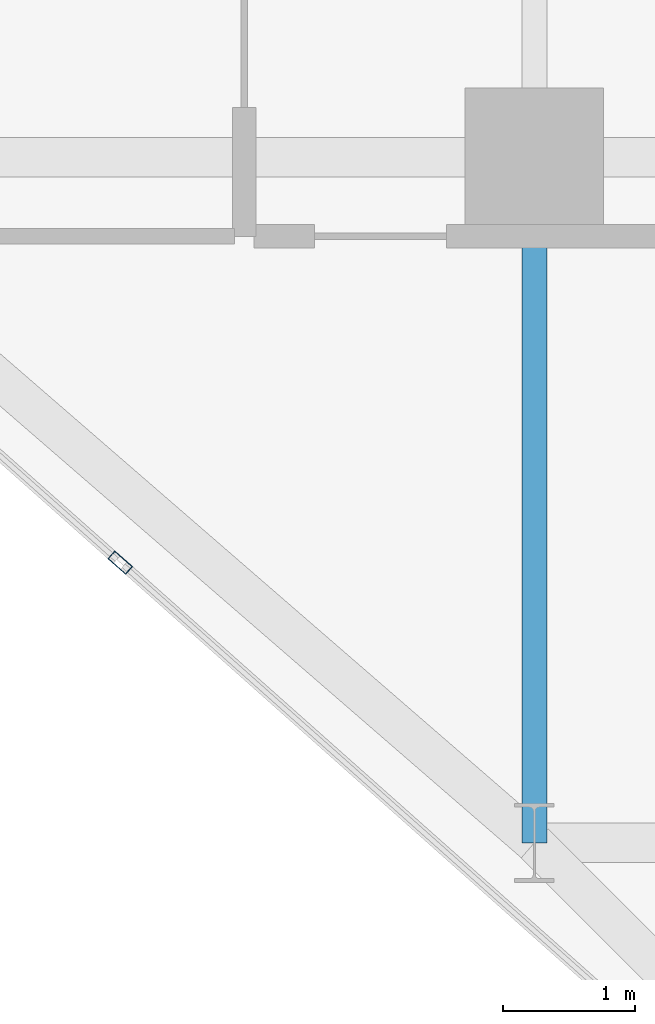
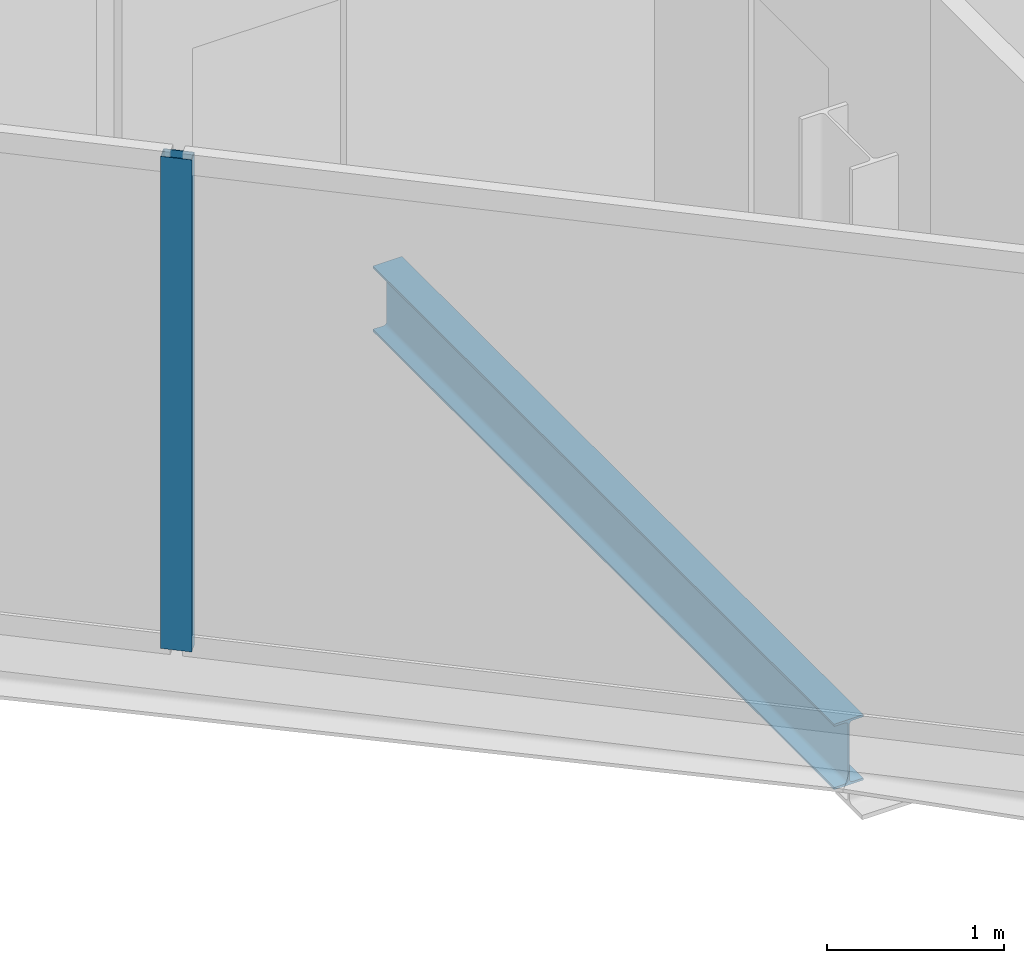
# One storey, part 3 of 29: 1 beam, 1 member, 1 element without a shape of its own.
"""IFC4 building model written with IfcOpenShell, lengths in metres."""

from ifc_helpers import new_model, si_unit, direction, frame, origin, origin_2d, place, context, subcontext, project, spatial, hollow_rectangle, i_section, extrude, material, layer, layer_set, material_profile, profile_set, type_object, element, aggregate, save


model = new_model("IFC4")

# Units and contexts
model_context = context("Model", 3, precision=1e-05, world=origin(), true_north=direction((0.0, 1.0)))
body_context = subcontext(model_context, "Body", "Model", "MODEL_VIEW")
ifc_project = project(units=[si_unit("LENGTHUNIT", "METRE"), si_unit("AREAUNIT", "SQUARE_METRE"), si_unit("VOLUMEUNIT", "CUBIC_METRE"), si_unit("PLANEANGLEUNIT", "RADIAN"), si_unit("MASSUNIT", "GRAM", prefix="KILO")], contexts=[model_context])

# Site, building, storey
site_placement = place(None, origin())
site = spatial("IfcSite", under=ifc_project, at=site_placement, CompositionType="ELEMENT")
building_placement = place(site_placement, origin())
building = spatial("IfcBuilding", under=site, at=building_placement, Name="Keshet Zoharim Tower", CompositionType="ELEMENT")
storey_placement = place(building_placement, frame((0.0, 0.0, 102.0)))
storey = spatial("IfcBuildingStorey", under=building, at=storey_placement, Name="L24", CompositionType="ELEMENT", Elevation=102.0)

# Beam
ifc_material_1 = material(Name="Steel S355", Category="steel")
ifc_material_profile_1 = material_profile(ifc_material_1, i_section(OverallWidth=0.18994140625, OverallDepth=0.449951171875, WebThickness=0.009521484375, FlangeThickness=0.0146484375, FilletRadius=0.02099609375, at=origin_2d()), Name="IPE450")
ifc_profile_set_1 = profile_set([ifc_material_profile_1], Name="Steel S355")
beam_type = type_object("IfcBeamType", Name="BM-PRI-IP450", PredefinedType="BEAM", material=ifc_profile_set_1)
beam_placement = place(storey_placement, frame((15.0, 12.699951171875, -0.5400390625), z_axis=(0.0, 1.0, 0.0), x_axis=(-1.0, 0.0, 0.0)))
element("IfcBeam", 1, at=beam_placement, inside=storey, type_object=beam_type, Name="L24 Primary Girder Y-002", PredefinedType="BEAM", context=body_context, shape_type="SweptSolid", body=[
    extrude(i_section(OverallWidth=0.18994140625, OverallDepth=0.449951171875, WebThickness=0.009521484375, FlangeThickness=0.0146484375, FilletRadius=0.02099609375, at=origin_2d()), origin(), (0.0, 0.0, 1.0), 5.199951171875),
])

# Curtain wall, member
ifc_material_2 = material(Name="Aluminium 6063-T6", Category="aluminium")
ifc_layer = layer(ifc_material_2, 0.159912109375)
ifc_layer_set = layer_set([ifc_layer], Name="Aluminium 6063-T6")
curtain_wall_type = type_object("IfcCurtainWallType", Name="CW-SYS-03", PredefinedType="NOTDEFINED", material=ifc_layer_set)
curtain_wall_placement = place(storey_placement, origin())
curtain_wall = element("IfcCurtainWall", 2, at=curtain_wall_placement, inside=storey, type_object=curtain_wall_type, Name="L24 Unitised Curtain Wall 07 Part 2", PredefinedType="NOTDEFINED")
ifc_material_profile_2 = material_profile(ifc_material_2, hollow_rectangle(XDim=0.080078125, YDim=0.179931640625, WallThickness=0.00439453125, at=origin_2d()), Name="MUL-80x180")
ifc_profile_set_2 = profile_set([ifc_material_profile_2], Name="Aluminium 6063-T6")
member_type = type_object("IfcMemberType", Name="CWM-M18", PredefinedType="MULLION", material=ifc_profile_set_2)
member_placement = place(storey_placement, frame((11.859619140625, 14.82470703125, 0.0), z_axis=(0.0, 0.0, 1.0), x_axis=(-0.664364135264, -0.747409055186, 0.0)))
member = element("IfcMember", 3, at=member_placement, type_object=member_type, Name="CW-03 mullion 2", PredefinedType="MULLION", context=body_context, shape_type="SweptSolid", body=[
    extrude(hollow_rectangle(XDim=0.080078125, YDim=0.179931640625, WallThickness=0.00439453125, at=origin_2d()), origin(), (0.0, 0.0, 1.0), 3.385009765625),
])
aggregate(curtain_wall, [member])

save(model, "model.ifc")
